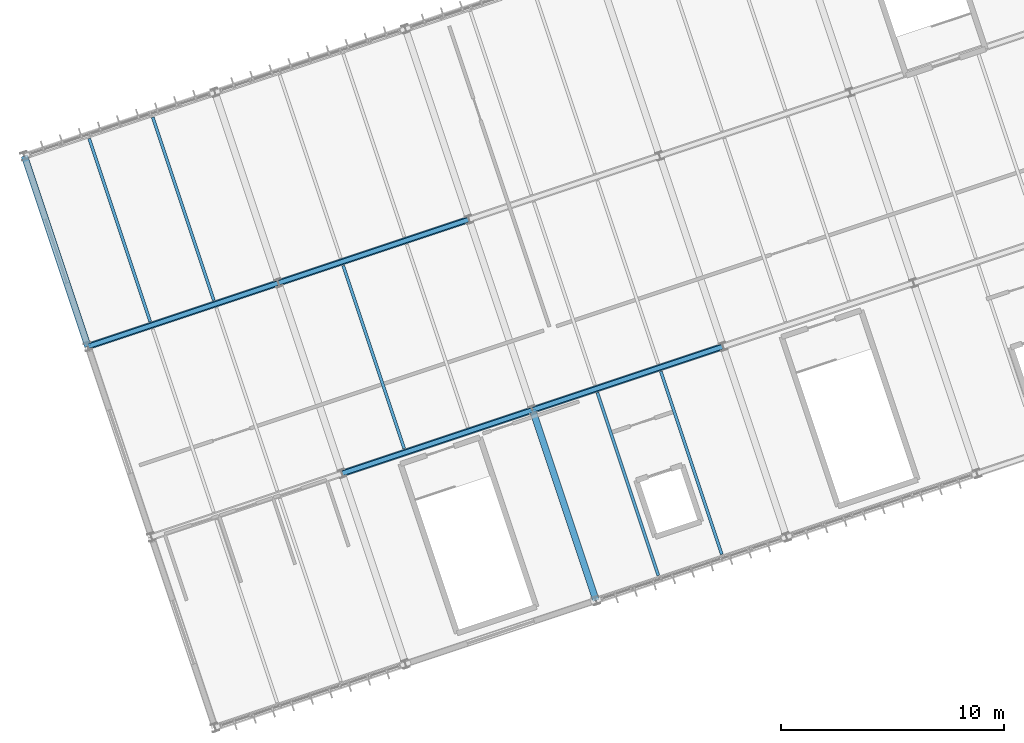
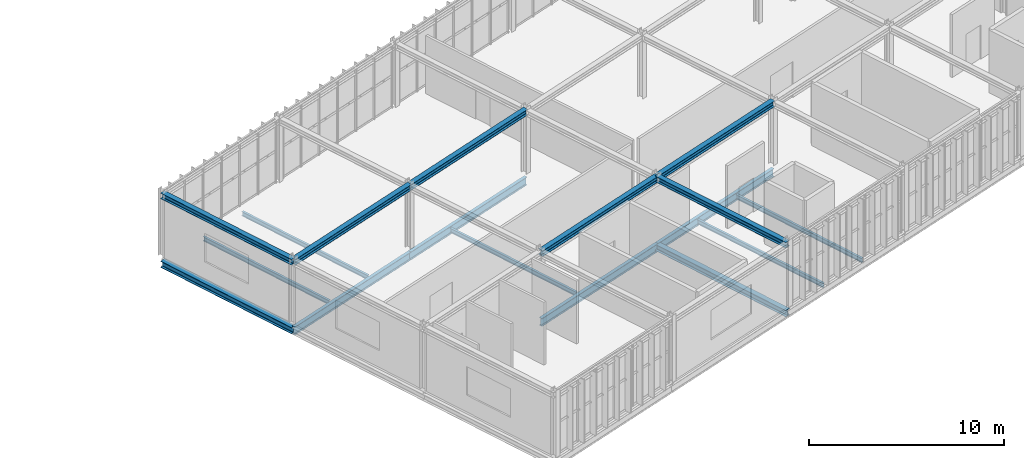
# One storey, part 11 of 61: 17 beams.
"""IFC4 building model written with IfcOpenShell, lengths in metres."""

from ifc_helpers import new_model, si_unit, derived_unit, direction, frame, origin, origin_2d, place, context, subcontext, project, spatial, i_section, extrude, material, material_profile, profile_set, type_object, element, save


model = new_model("IFC4")

# Units and contexts
model_context = context("Model", 3, precision=1e-05, world=origin(), true_north=direction((0.0, 1.0)))
body_context = subcontext(model_context, "Body", "Model", "MODEL_VIEW")
ifc_project = project(units=[si_unit("LENGTHUNIT", "METRE"), si_unit("AREAUNIT", "SQUARE_METRE"), si_unit("VOLUMEUNIT", "CUBIC_METRE"), si_unit("PLANEANGLEUNIT", "RADIAN"), si_unit("MASSUNIT", "GRAM", prefix="KILO"), si_unit("THERMODYNAMICTEMPERATUREUNIT", "KELVIN"), si_unit("TIMEUNIT", "SECOND"), derived_unit("THERMALTRANSMITTANCEUNIT", [(si_unit("MASSUNIT", "GRAM", prefix="KILO"), 1), (si_unit("THERMODYNAMICTEMPERATUREUNIT", "KELVIN"), -1), (si_unit("TIMEUNIT", "SECOND"), -3)])], contexts=[model_context])

# Site, building, storey
site_placement = place(None, origin())
site = spatial("IfcSite", under=ifc_project, at=site_placement, CompositionType="ELEMENT")
building_placement = place(site_placement, origin())
building = spatial("IfcBuilding", under=site, at=building_placement, Name="Cambertide Market Hall", CompositionType="ELEMENT")
storey_placement = place(building_placement, frame((0.0, 0.0, 9.89990234375)))
storey = spatial("IfcBuildingStorey", under=building, at=storey_placement, Name="L03", CompositionType="ELEMENT", Elevation=9.89990234375)

# Beams
ifc_material_1 = material(Name="Steel S355", Category="steel")
ifc_material_profile_1 = material_profile(ifc_material_1, i_section(OverallWidth=0.300048828125, OverallDepth=0.360107421875, WebThickness=0.012451171875, FlangeThickness=0.0224609375, FilletRadius=0.027099609375, at=origin_2d()), Name="HEB 360")
ifc_profile_set_1 = profile_set([ifc_material_profile_1], Name="Steel S355")
beam_type_1 = type_object("IfcBeamType", Name="Exterior Steel Girder HEB 360", PredefinedType="BEAM", material=ifc_profile_set_1)
for number, where, z_axis, x_axis, name in (
    (1, (100.307861328125, 29.076416015625, 3.820068359375), (0.948686010717, 0.3162196279, 0.0), (-0.3162196279, 0.948686010717, 0.0), "Level 3 Beam BM-V3U-RF-1-3"),
    (2, (111.692138671875, 23.38427734375, 3.820068359375), (0.948686010717, 0.3162196279, 0.0), (-0.3162196279, 0.948686010717, 0.0), "Level 3 Beam BM-V3U-RF-2-2"),
):
    element("IfcBeam", number, at=place(storey_placement, frame(where, z_axis=z_axis, x_axis=x_axis)), inside=storey, type_object=beam_type_1, Name=name, PredefinedType="BEAM", context=body_context, shape_type="SweptSolid", body=[
        extrude(i_section(OverallWidth=0.300048828125, OverallDepth=0.360107421875, WebThickness=0.012451171875, FlangeThickness=0.0224609375, FilletRadius=0.027099609375, at=origin_2d()), origin(), (0.0, 0.0, 1.0), 9.0),
    ])
beam_1_placement = place(storey_placement, frame((108.845947265625, 31.92236328125, 3.820068359375), z_axis=(0.948688723175, 0.316211490179, 0.0), x_axis=(-0.316211490179, 0.948688723175, 0.0)))
element("IfcBeam", 3, at=beam_1_placement, inside=storey, type_object=beam_type_1, Name="Level 3 Beam BM-V3U-RF-2-3", PredefinedType="BEAM", context=body_context, shape_type="SweptSolid", body=[
    extrude(i_section(OverallWidth=0.300048828125, OverallDepth=0.360107421875, WebThickness=0.012451171875, FlangeThickness=0.0224609375, FilletRadius=0.027099609375, at=origin_2d()), origin(), (0.0, 0.0, 1.0), 9.000244140625),
])
for number, where, z_axis, x_axis, name in (
    (4, (120.230224609375, 26.230224609375, 3.820068359375), (0.948677872554, 0.31624404204, 0.0), (-0.31624404204, 0.948677872554, 0.0), "Level 3 Beam BM-V3U-RF-3-2"),
    (5, (100.307861328125, 29.076416015625, 3.820068359375), (-0.3162196279, 0.948686010717, 0.0), (-0.948686010717, -0.3162196279, 0.0), "Level 3 Beam BM-V3V-RF-1-3"),
    (6, (123.076416015625, 17.692138671875, 3.820068359375), (-0.31624404204, 0.948677872554, 0.0), (-0.948677872554, -0.31624404204, 0.0), "Level 3 Beam BM-V3V-RF-3-1"),
):
    element("IfcBeam", number, at=place(storey_placement, frame(where, z_axis=z_axis, x_axis=x_axis)), inside=storey, type_object=beam_type_1, Name=name, PredefinedType="BEAM", context=body_context, shape_type="SweptSolid", body=[
        extrude(i_section(OverallWidth=0.300048828125, OverallDepth=0.360107421875, WebThickness=0.012451171875, FlangeThickness=0.0224609375, FilletRadius=0.027099609375, at=origin_2d()), origin(), (0.0, 0.0, 1.0), 9.0),
    ])
ifc_material_2 = material(Name="Steel S355", Category="steel")
ifc_material_profile_2 = material_profile(ifc_material_2, i_section(OverallWidth=0.300048828125, OverallDepth=0.39990234375, WebThickness=0.013427734375, FlangeThickness=0.02392578125, FilletRadius=0.027099609375, at=origin_2d()), Name="HEB 400")
ifc_profile_set_2 = profile_set([ifc_material_profile_2], Name="Steel S355")
beam_type_2 = type_object("IfcBeamType", Name="Steel Girder HEB 400", PredefinedType="BEAM", material=ifc_profile_set_2)
for number, where, z_axis, x_axis, name in (
    (7, (100.307861328125, 29.076416015625, -0.474853515625), (-0.3162196279, 0.948686010717, 0.0), (-0.948686010717, -0.3162196279, 0.0), "Level 3 Beam BM-V3V-L03-1-3"),
    (8, (123.076416015625, 17.692138671875, -0.474853515625), (-0.31624404204, 0.948677872554, 0.0), (-0.948677872554, -0.31624404204, 0.0), "Level 3 Beam BM-V3V-L03-3-1"),
):
    element("IfcBeam", number, at=place(storey_placement, frame(where, z_axis=z_axis, x_axis=x_axis)), inside=storey, type_object=beam_type_2, Name=name, PredefinedType="BEAM", context=body_context, shape_type="SweptSolid", body=[
        extrude(i_section(OverallWidth=0.300048828125, OverallDepth=0.39990234375, WebThickness=0.013427734375, FlangeThickness=0.02392578125, FilletRadius=0.027099609375, at=origin_2d()), origin(), (0.0, 0.0, 1.0), 9.0),
    ])
ifc_material_3 = material(Name="Steel S355", Category="steel")
ifc_material_profile_3 = material_profile(ifc_material_3, i_section(OverallWidth=0.199951171875, OverallDepth=0.5, WebThickness=0.01025390625, FlangeThickness=0.01611328125, FilletRadius=0.02099609375, at=origin_2d()), Name="IPE 500")
ifc_profile_set_3 = profile_set([ifc_material_profile_3], Name="Steel S355")
beam_type_3 = type_object("IfcBeamType", Name="Steel Girder IPE 500", PredefinedType="BEAM", material=ifc_profile_set_3)
for number, where, z_axis, x_axis, name in (
    (9, (100.307861328125, 29.076416015625, -0.52490234375), (0.948686010717, 0.3162196279, 0.0), (-0.3162196279, 0.948686010717, 0.0), "Level 3 Beam BM-V3U-L03-1-3"),
    (10, (111.692138671875, 23.38427734375, -0.52490234375), (0.948686010717, 0.3162196279, 0.0), (-0.3162196279, 0.948686010717, 0.0), "Level 3 Beam BM-V3U-L03-2-2"),
):
    element("IfcBeam", number, at=place(storey_placement, frame(where, z_axis=z_axis, x_axis=x_axis)), inside=storey, type_object=beam_type_3, Name=name, PredefinedType="BEAM", context=body_context, shape_type="SweptSolid", body=[
        extrude(i_section(OverallWidth=0.199951171875, OverallDepth=0.5, WebThickness=0.01025390625, FlangeThickness=0.01611328125, FilletRadius=0.02099609375, at=origin_2d()), origin(), (0.0, 0.0, 1.0), 9.0),
    ])
beam_2_placement = place(storey_placement, frame((108.845947265625, 31.92236328125, -0.52490234375), z_axis=(0.948688723175, 0.316211490179, 0.0), x_axis=(-0.316211490179, 0.948688723175, 0.0)))
element("IfcBeam", 11, at=beam_2_placement, inside=storey, type_object=beam_type_3, Name="Level 3 Beam BM-V3U-L03-2-3", PredefinedType="BEAM", context=body_context, shape_type="SweptSolid", body=[
    extrude(i_section(OverallWidth=0.199951171875, OverallDepth=0.5, WebThickness=0.01025390625, FlangeThickness=0.01611328125, FilletRadius=0.02099609375, at=origin_2d()), origin(), (0.0, 0.0, 1.0), 9.000244140625),
])
beam_3_placement = place(storey_placement, frame((120.230224609375, 26.230224609375, -0.52490234375), z_axis=(0.948677872554, 0.31624404204, 0.0), x_axis=(-0.31624404204, 0.948677872554, 0.0)))
element("IfcBeam", 12, at=beam_3_placement, inside=storey, type_object=beam_type_3, Name="Level 3 Beam BM-V3U-L03-3-2", PredefinedType="BEAM", context=body_context, shape_type="SweptSolid", body=[
    extrude(i_section(OverallWidth=0.199951171875, OverallDepth=0.5, WebThickness=0.01025390625, FlangeThickness=0.01611328125, FilletRadius=0.02099609375, at=origin_2d()), origin(), (0.0, 0.0, 1.0), 9.0),
])
ifc_material_4 = material(Name="Steel S275", Category="steel")
ifc_material_profile_4 = material_profile(ifc_material_4, i_section(OverallWidth=0.135009765625, OverallDepth=0.27001953125, WebThickness=0.006591796875, FlangeThickness=0.01025390625, FilletRadius=0.014892578125, at=origin_2d()), Name="IPE 270")
ifc_profile_set_4 = profile_set([ifc_material_profile_4], Name="Steel S275")
beam_type_4 = type_object("IfcBeamType", Name="Steel Secondary Joist IPE 270", PredefinedType="JOIST", material=ifc_profile_set_4)
for number, where, z_axis, x_axis, name in (
    (13, (103.096923828125, 30.19580078125, -0.409912109375), (-0.316227766017, 0.948683298051, 0.0), (-0.948683298051, -0.316227766017, 0.0), "Level 3 Joist JS-V3-L03-1-3-1"),
    (14, (105.943115234375, 31.14453125, -0.409912109375), (-0.316227766017, 0.948683298051, 0.0), (-0.948683298051, -0.316227766017, 0.0), "Level 3 Joist JS-V3-L03-1-3-2"),
    (15, (114.481201171875, 24.503662109375, -0.409912109375), (-0.316227766017, 0.948683298051, 0.0), (-0.948683298051, -0.316227766017, 0.0), "Level 3 Joist JS-V3-L03-2-2-1"),
    (16, (125.865478515625, 18.8115234375, -0.409912109375), (-0.316227766017, 0.948683298051, 0.0), (-0.948683298051, -0.316227766017, 0.0), "Level 3 Joist JS-V3-L03-3-1-1"),
    (17, (128.71142578125, 19.76025390625, -0.409912109375), (-0.316227766017, 0.948683298051, 0.0), (-0.948683298051, -0.316227766017, 0.0), "Level 3 Joist JS-V3-L03-3-1-2"),
):
    element("IfcBeam", number, at=place(storey_placement, frame(where, z_axis=z_axis, x_axis=x_axis)), inside=storey, type_object=beam_type_4, Name=name, PredefinedType="JOIST", context=body_context, shape_type="SweptSolid", body=[
        extrude(i_section(OverallWidth=0.135009765625, OverallDepth=0.27001953125, WebThickness=0.006591796875, FlangeThickness=0.01025390625, FilletRadius=0.014892578125, at=origin_2d()), origin(), (0.0, 0.0, 1.0), 8.639892578125),
    ])

save(model, "model.ifc")
